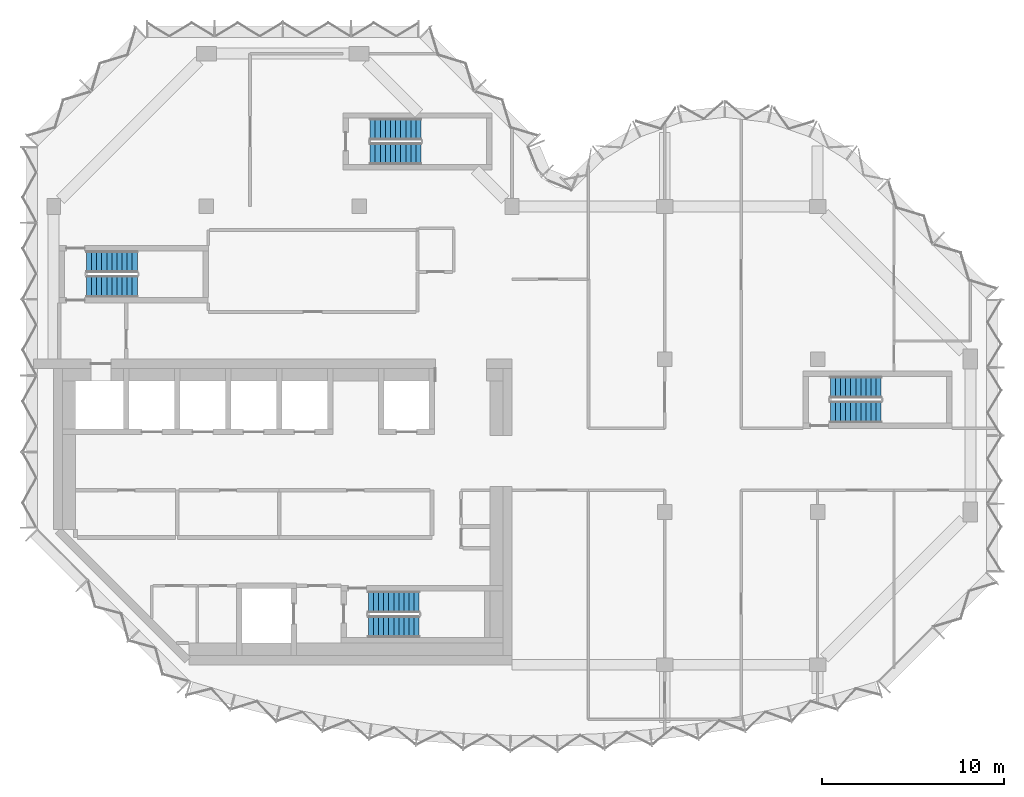
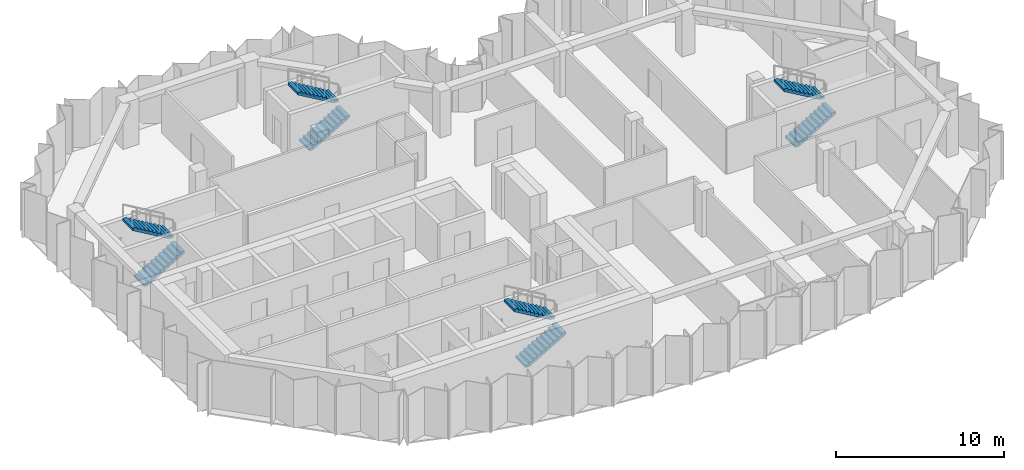
# One storey, part 7 of 9: 8 stair flights, 4 elements without a shape of their own.
"""IFC4 building model written with IfcOpenShell, lengths in metres."""

from ifc_helpers import new_model, si_unit, direction, frame, origin, place, context, subcontext, project, spatial, polyline, outline, extrude, material, type_object, element, aggregate, save


model = new_model("IFC4")

# Units and contexts
model_context = context("Model", 3, precision=1e-05, world=origin(), true_north=direction((0.0, 1.0)))
body_context = subcontext(model_context, "Body", "Model", "MODEL_VIEW")
ifc_project = project(units=[si_unit("LENGTHUNIT", "METRE"), si_unit("AREAUNIT", "SQUARE_METRE"), si_unit("VOLUMEUNIT", "CUBIC_METRE"), si_unit("PLANEANGLEUNIT", "RADIAN"), si_unit("MASSUNIT", "GRAM", prefix="KILO")], contexts=[model_context])

# Site, building, storey
site_placement = place(None, origin())
site = spatial("IfcSite", under=ifc_project, at=site_placement, CompositionType="ELEMENT")
building_placement = place(site_placement, origin())
building = spatial("IfcBuilding", under=site, at=building_placement, Name="Brevane Broadcast Tower", CompositionType="ELEMENT")
storey_placement = place(building_placement, frame((0.0, 0.0, 215.699951171875)))
storey = spatial("IfcBuildingStorey", under=building, at=storey_placement, Name="L54", CompositionType="ELEMENT", Elevation=215.699951171875)

# Stair, stair flights
ifc_material = material(Name="Concrete C50/60", Category="concrete")
stair_type = type_object("IfcStairType", Name="Exit stair 22 risers", PredefinedType="HALF_TURN_STAIR", material=ifc_material)
stair_1_placement = place(storey_placement, origin())
stair_1 = element("IfcStair", 1, at=stair_1_placement, inside=storey, type_object=stair_type, Name="L54 Exit stair ST-1", PredefinedType="HALF_TURN_STAIR")
stair_flight_type = type_object("IfcStairFlightType", Name="Exit stair flight 22 risers", PredefinedType="STRAIGHT", material=ifc_material)
stair_flight_1_placement = place(storey_placement, frame((1.800048828125, 20.800048828125, 0.0), z_axis=(0.0, 0.0, 1.0), x_axis=(1.0, 0.0, 0.0)))
stair_flight_1 = element("IfcStairFlight", 2, at=stair_flight_1_placement, type_object=stair_flight_type, Name="ST-1 flight 1", NumberOfRisers=11, NumberOfTreads=10, PredefinedType="STRAIGHT", RiserHeight=0.163636364, TreadLength=0.28, context=body_context, shape_type="SweptSolid", body=[
    extrude(outline(polyline([(0.0, 0.0), (0.0, 0.16357421875), (0.280029296875, 0.16357421875), (0.280029296875, 0.327392578125), (0.56005859375, 0.327392578125), (0.56005859375, 0.490966796875), (0.840087890625, 0.490966796875), (0.840087890625, 0.654541015625), (1.1201171875, 0.654541015625), (1.1201171875, 0.818115234375), (1.39990234375, 0.818115234375), (1.39990234375, 0.98193359375), (1.679931640625, 0.98193359375), (1.679931640625, 1.1455078125), (1.9599609375, 1.1455078125), (1.9599609375, 1.30908203125), (2.239990234375, 1.30908203125), (2.239990234375, 1.47265625), (2.52001953125, 1.47265625), (2.52001953125, 1.636474609375), (2.800048828125, 1.636474609375), (2.800048828125, 1.800048828125), (2.800048828125, 1.462646484375), (0.297119140625, 0.0), (0.0, 0.0)])), frame((0.0, 0.60009765625, 0.0), z_axis=(0.0, -1.0, 0.0), x_axis=(1.0, 0.0, 0.0)), (0.0, 0.0, 1.0), 1.199951171875),
])
stair_flight_2_placement = place(storey_placement, frame((4.60009765625, 22.14990234375, 1.800048828125), z_axis=(0.0, 0.0, 1.0), x_axis=(-1.0, 0.0, 0.0)))
stair_flight_2 = element("IfcStairFlight", 3, at=stair_flight_2_placement, type_object=stair_flight_type, Name="ST-1 flight 2", NumberOfRisers=11, NumberOfTreads=10, PredefinedType="STRAIGHT", RiserHeight=0.163636364, TreadLength=0.28, context=body_context, shape_type="SweptSolid", body=[
    extrude(outline(polyline([(0.0, 0.0), (0.0, 0.16357421875), (0.280029296875, 0.16357421875), (0.280029296875, 0.327392578125), (0.56005859375, 0.327392578125), (0.56005859375, 0.490966796875), (0.840087890625, 0.490966796875), (0.840087890625, 0.654541015625), (1.1201171875, 0.654541015625), (1.1201171875, 0.818115234375), (1.39990234375, 0.818115234375), (1.39990234375, 0.98193359375), (1.679931640625, 0.98193359375), (1.679931640625, 1.1455078125), (1.9599609375, 1.1455078125), (1.9599609375, 1.30908203125), (2.239990234375, 1.30908203125), (2.239990234375, 1.47265625), (2.52001953125, 1.47265625), (2.52001953125, 1.636474609375), (2.800048828125, 1.636474609375), (2.800048828125, 1.800048828125), (2.800048828125, 1.462646484375), (0.297119140625, 0.0), (0.0, 0.0)])), frame((0.0, 0.60009765625, 0.0), z_axis=(0.0, -1.0, 0.0), x_axis=(1.0, 0.0, 0.0)), (0.0, 0.0, 1.0), 1.199951171875),
])
aggregate(stair_1, [stair_flight_1, stair_flight_2])

stair_2_placement = place(storey_placement, origin())
stair_2 = element("IfcStair", 4, at=stair_2_placement, inside=storey, type_object=stair_type, Name="L54 Exit stair ST-2", PredefinedType="HALF_TURN_STAIR")
stair_flight_3_placement = place(storey_placement, frame((17.300048828125, 2.10009765625, 0.0), z_axis=(0.0, 0.0, 1.0), x_axis=(1.0, 0.0, 0.0)))
stair_flight_3 = element("IfcStairFlight", 5, at=stair_flight_3_placement, type_object=stair_flight_type, Name="ST-2 flight 1", NumberOfRisers=11, NumberOfTreads=10, PredefinedType="STRAIGHT", RiserHeight=0.163636364, TreadLength=0.28, context=body_context, shape_type="SweptSolid", body=[
    extrude(outline(polyline([(0.0, 0.0), (0.0, 0.16357421875), (0.280029296875, 0.16357421875), (0.280029296875, 0.327392578125), (0.56005859375, 0.327392578125), (0.56005859375, 0.490966796875), (0.840087890625, 0.490966796875), (0.840087890625, 0.654541015625), (1.1201171875, 0.654541015625), (1.1201171875, 0.818115234375), (1.39990234375, 0.818115234375), (1.39990234375, 0.98193359375), (1.679931640625, 0.98193359375), (1.679931640625, 1.1455078125), (1.9599609375, 1.1455078125), (1.9599609375, 1.30908203125), (2.239990234375, 1.30908203125), (2.239990234375, 1.47265625), (2.52001953125, 1.47265625), (2.52001953125, 1.636474609375), (2.800048828125, 1.636474609375), (2.800048828125, 1.800048828125), (2.800048828125, 1.462646484375), (0.297119140625, 0.0), (0.0, 0.0)])), frame((0.0, 0.60009765625, 0.0), z_axis=(0.0, -1.0, 0.0), x_axis=(1.0, 0.0, 0.0)), (0.0, 0.0, 1.0), 1.199951171875),
])
stair_flight_4_placement = place(storey_placement, frame((20.10009765625, 3.449951171875, 1.800048828125), z_axis=(0.0, 0.0, 1.0), x_axis=(-1.0, 0.0, 0.0)))
stair_flight_4 = element("IfcStairFlight", 6, at=stair_flight_4_placement, type_object=stair_flight_type, Name="ST-2 flight 2", NumberOfRisers=11, NumberOfTreads=10, PredefinedType="STRAIGHT", RiserHeight=0.163636364, TreadLength=0.28, context=body_context, shape_type="SweptSolid", body=[
    extrude(outline(polyline([(0.0, 0.0), (0.0, 0.16357421875), (0.280029296875, 0.16357421875), (0.280029296875, 0.327392578125), (0.56005859375, 0.327392578125), (0.56005859375, 0.490966796875), (0.840087890625, 0.490966796875), (0.840087890625, 0.654541015625), (1.1201171875, 0.654541015625), (1.1201171875, 0.818115234375), (1.39990234375, 0.818115234375), (1.39990234375, 0.98193359375), (1.679931640625, 0.98193359375), (1.679931640625, 1.1455078125), (1.9599609375, 1.1455078125), (1.9599609375, 1.30908203125), (2.239990234375, 1.30908203125), (2.239990234375, 1.47265625), (2.52001953125, 1.47265625), (2.52001953125, 1.636474609375), (2.800048828125, 1.636474609375), (2.800048828125, 1.800048828125), (2.800048828125, 1.462646484375), (0.297119140625, 0.0), (0.0, 0.0)])), frame((0.0, 0.60009765625, 0.0), z_axis=(0.0, -1.0, 0.0), x_axis=(1.0, 0.0, 0.0)), (0.0, 0.0, 1.0), 1.199951171875),
])
aggregate(stair_2, [stair_flight_3, stair_flight_4])

stair_3_placement = place(storey_placement, origin())
stair_3 = element("IfcStair", 7, at=stair_3_placement, inside=storey, type_object=stair_type, Name="L54 Exit stair ST-3", PredefinedType="HALF_TURN_STAIR")
stair_flight_5_placement = place(storey_placement, frame((17.39990234375, 28.10009765625, 0.0), z_axis=(0.0, 0.0, 1.0), x_axis=(1.0, 0.0, 0.0)))
stair_flight_5 = element("IfcStairFlight", 8, at=stair_flight_5_placement, type_object=stair_flight_type, Name="ST-3 flight 1", NumberOfRisers=11, NumberOfTreads=10, PredefinedType="STRAIGHT", RiserHeight=0.163636364, TreadLength=0.28, context=body_context, shape_type="SweptSolid", body=[
    extrude(outline(polyline([(0.0, 0.0), (0.0, 0.16357421875), (0.280029296875, 0.16357421875), (0.280029296875, 0.327392578125), (0.56005859375, 0.327392578125), (0.56005859375, 0.490966796875), (0.840087890625, 0.490966796875), (0.840087890625, 0.654541015625), (1.1201171875, 0.654541015625), (1.1201171875, 0.818115234375), (1.39990234375, 0.818115234375), (1.39990234375, 0.98193359375), (1.679931640625, 0.98193359375), (1.679931640625, 1.1455078125), (1.9599609375, 1.1455078125), (1.9599609375, 1.30908203125), (2.239990234375, 1.30908203125), (2.239990234375, 1.47265625), (2.52001953125, 1.47265625), (2.52001953125, 1.636474609375), (2.800048828125, 1.636474609375), (2.800048828125, 1.800048828125), (2.800048828125, 1.462646484375), (0.297119140625, 0.0), (0.0, 0.0)])), frame((0.0, 0.60009765625, 0.0), z_axis=(0.0, -1.0, 0.0), x_axis=(1.0, 0.0, 0.0)), (0.0, 0.0, 1.0), 1.199951171875),
])
stair_flight_6_placement = place(storey_placement, frame((20.199951171875, 29.449951171875, 1.800048828125), z_axis=(0.0, 0.0, 1.0), x_axis=(-1.0, 0.0, 0.0)))
stair_flight_6 = element("IfcStairFlight", 9, at=stair_flight_6_placement, type_object=stair_flight_type, Name="ST-3 flight 2", NumberOfRisers=11, NumberOfTreads=10, PredefinedType="STRAIGHT", RiserHeight=0.163636364, TreadLength=0.28, context=body_context, shape_type="SweptSolid", body=[
    extrude(outline(polyline([(0.0, 0.0), (0.0, 0.16357421875), (0.280029296875, 0.16357421875), (0.280029296875, 0.327392578125), (0.56005859375, 0.327392578125), (0.56005859375, 0.490966796875), (0.840087890625, 0.490966796875), (0.840087890625, 0.654541015625), (1.1201171875, 0.654541015625), (1.1201171875, 0.818115234375), (1.39990234375, 0.818115234375), (1.39990234375, 0.98193359375), (1.679931640625, 0.98193359375), (1.679931640625, 1.1455078125), (1.9599609375, 1.1455078125), (1.9599609375, 1.30908203125), (2.239990234375, 1.30908203125), (2.239990234375, 1.47265625), (2.52001953125, 1.47265625), (2.52001953125, 1.636474609375), (2.800048828125, 1.636474609375), (2.800048828125, 1.800048828125), (2.800048828125, 1.462646484375), (0.297119140625, 0.0), (0.0, 0.0)])), frame((0.0, 0.60009765625, 0.0), z_axis=(0.0, -1.0, 0.0), x_axis=(1.0, 0.0, 0.0)), (0.0, 0.0, 1.0), 1.199951171875),
])
aggregate(stair_3, [stair_flight_5, stair_flight_6])

stair_4_placement = place(storey_placement, origin())
stair_4 = element("IfcStair", 10, at=stair_4_placement, inside=storey, type_object=stair_type, Name="L54 Exit stair ST-4", PredefinedType="HALF_TURN_STAIR")
stair_flight_7_placement = place(storey_placement, frame((42.699951171875, 13.89990234375, 0.0), z_axis=(0.0, 0.0, 1.0), x_axis=(1.0, 0.0, 0.0)))
stair_flight_7 = element("IfcStairFlight", 11, at=stair_flight_7_placement, type_object=stair_flight_type, Name="ST-4 flight 1", NumberOfRisers=11, NumberOfTreads=10, PredefinedType="STRAIGHT", RiserHeight=0.163636364, TreadLength=0.28, context=body_context, shape_type="SweptSolid", body=[
    extrude(outline(polyline([(0.0, 0.0), (0.0, 0.16357421875), (0.280029296875, 0.16357421875), (0.280029296875, 0.327392578125), (0.56005859375, 0.327392578125), (0.56005859375, 0.490966796875), (0.840087890625, 0.490966796875), (0.840087890625, 0.654541015625), (1.1201171875, 0.654541015625), (1.1201171875, 0.818115234375), (1.39990234375, 0.818115234375), (1.39990234375, 0.98193359375), (1.679931640625, 0.98193359375), (1.679931640625, 1.1455078125), (1.9599609375, 1.1455078125), (1.9599609375, 1.30908203125), (2.239990234375, 1.30908203125), (2.239990234375, 1.47265625), (2.52001953125, 1.47265625), (2.52001953125, 1.636474609375), (2.800048828125, 1.636474609375), (2.800048828125, 1.800048828125), (2.800048828125, 1.462646484375), (0.297119140625, 0.0), (0.0, 0.0)])), frame((0.0, 0.60009765625, 0.0), z_axis=(0.0, -1.0, 0.0), x_axis=(1.0, 0.0, 0.0)), (0.0, 0.0, 1.0), 1.199951171875),
])
stair_flight_8_placement = place(storey_placement, frame((45.5, 15.25, 1.800048828125), z_axis=(0.0, 0.0, 1.0), x_axis=(-1.0, 0.0, 0.0)))
stair_flight_8 = element("IfcStairFlight", 12, at=stair_flight_8_placement, type_object=stair_flight_type, Name="ST-4 flight 2", NumberOfRisers=11, NumberOfTreads=10, PredefinedType="STRAIGHT", RiserHeight=0.163636364, TreadLength=0.28, context=body_context, shape_type="SweptSolid", body=[
    extrude(outline(polyline([(0.0, 0.0), (0.0, 0.16357421875), (0.280029296875, 0.16357421875), (0.280029296875, 0.327392578125), (0.56005859375, 0.327392578125), (0.56005859375, 0.490966796875), (0.840087890625, 0.490966796875), (0.840087890625, 0.654541015625), (1.1201171875, 0.654541015625), (1.1201171875, 0.818115234375), (1.39990234375, 0.818115234375), (1.39990234375, 0.98193359375), (1.679931640625, 0.98193359375), (1.679931640625, 1.1455078125), (1.9599609375, 1.1455078125), (1.9599609375, 1.30908203125), (2.239990234375, 1.30908203125), (2.239990234375, 1.47265625), (2.52001953125, 1.47265625), (2.52001953125, 1.636474609375), (2.800048828125, 1.636474609375), (2.800048828125, 1.800048828125), (2.800048828125, 1.462646484375), (0.297119140625, 0.0), (0.0, 0.0)])), frame((0.0, 0.60009765625, 0.0), z_axis=(0.0, -1.0, 0.0), x_axis=(1.0, 0.0, 0.0)), (0.0, 0.0, 1.0), 1.199951171875),
])
aggregate(stair_4, [stair_flight_7, stair_flight_8])

save(model, "model.ifc")
